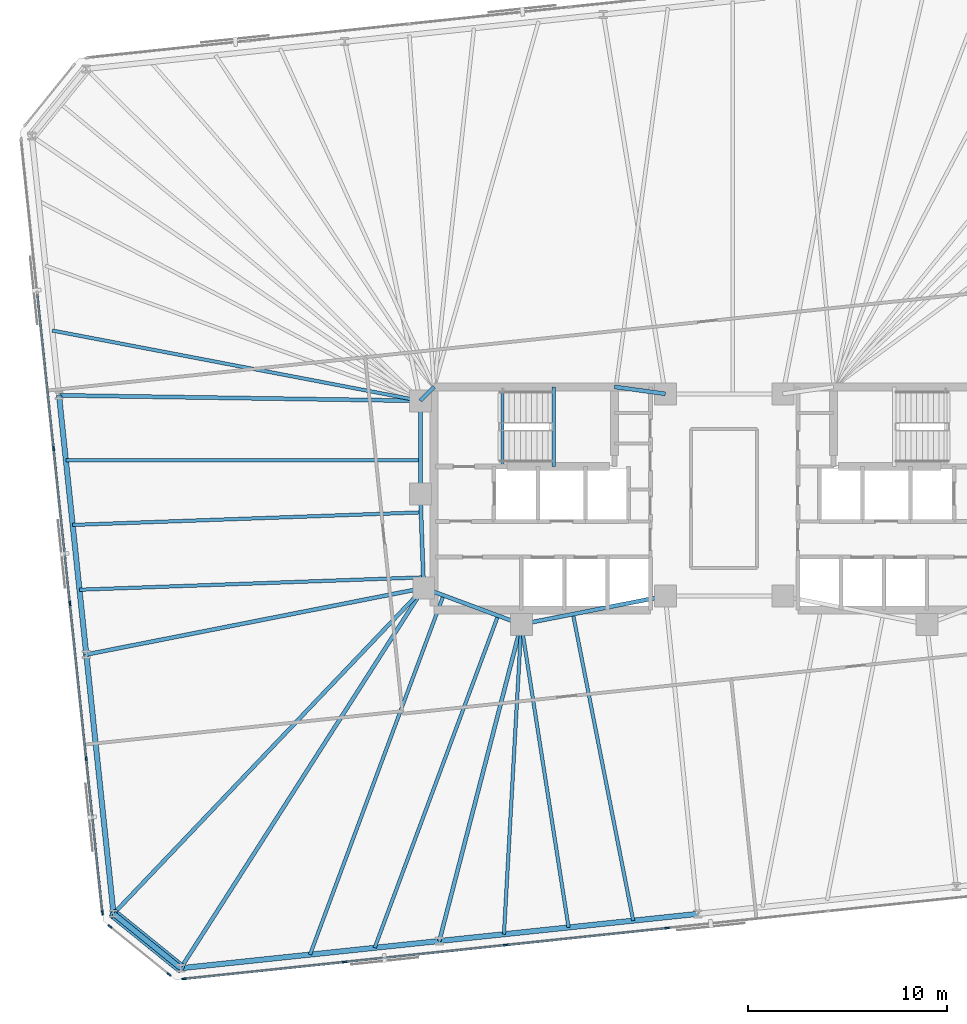
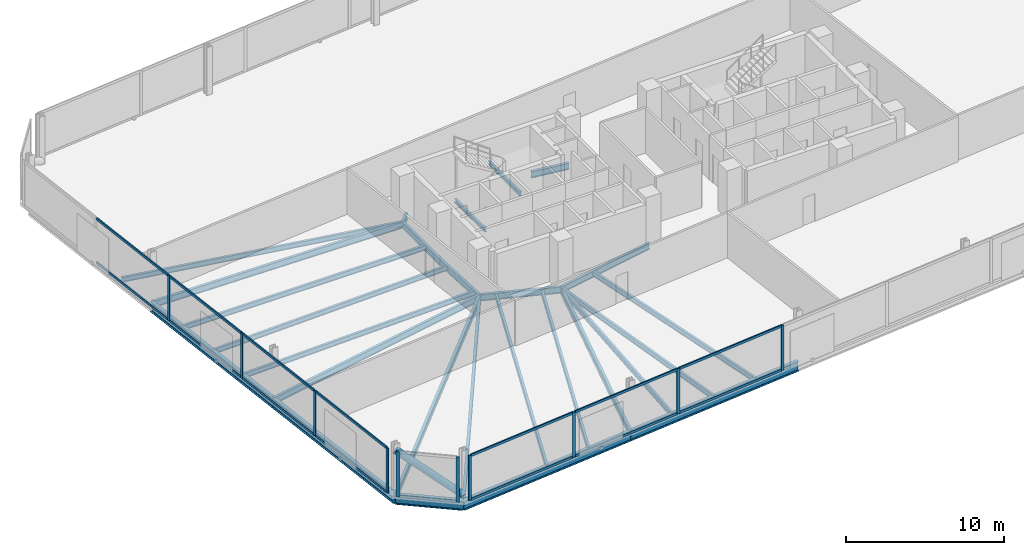
# One storey, part 6 of 17: 27 beams, 25 members, 3 elements without a shape of their own.
"""IFC4 building model written with IfcOpenShell, lengths in metres."""

from ifc_helpers import new_model, si_unit, direction, frame, origin, origin_2d, place, context, subcontext, project, spatial, rectangle, hollow_circle, i_section, extrude, material, material_profile, profile_set, type_object, element, aggregate, save


model = new_model("IFC4")

# Units and contexts
model_context = context("Model", 3, precision=1e-05, world=origin(), true_north=direction((0.0, 1.0)))
body_context = subcontext(model_context, "Body", "Model", "MODEL_VIEW")
ifc_project = project(units=[si_unit("LENGTHUNIT", "METRE"), si_unit("AREAUNIT", "SQUARE_METRE"), si_unit("VOLUMEUNIT", "CUBIC_METRE"), si_unit("PLANEANGLEUNIT", "RADIAN"), si_unit("MASSUNIT", "GRAM", prefix="KILO")], contexts=[model_context])

# Site, building, storey
site_placement = place(None, origin())
site = spatial("IfcSite", under=ifc_project, at=site_placement, CompositionType="ELEMENT")
building_placement = place(site_placement, origin())
building = spatial("IfcBuilding", under=site, at=building_placement, Name="Menara Jurai Vektor", CompositionType="ELEMENT")
storey_placement = place(building_placement, frame((0.0, 0.0, 131.800048828125)))
storey = spatial("IfcBuildingStorey", under=building, at=storey_placement, Name="L33", CompositionType="ELEMENT", Elevation=131.800048828125)

# Curtain wall, members
ifc_material_1 = material(Name="Anodised Pale Aluminium & Low-E Double Glazing", Category="aluminium")
curtain_wall_type = type_object("IfcCurtainWallType", Name="CW-BLK2", PredefinedType="NOTDEFINED", material=ifc_material_1)
curtain_wall_1_placement = place(storey_placement, origin())
curtain_wall_1 = element("IfcCurtainWall", 1, at=curtain_wall_1_placement, inside=storey, type_object=curtain_wall_type, Name="Unitised Curtain Wall L33 F01", PredefinedType="NOTDEFINED")
ifc_material_2 = material(Name="Anodised Pale Aluminium Mullion", Category="aluminium")
ifc_material_profile_1 = material_profile(ifc_material_2, rectangle(XDim=0.090087890625, YDim=0.219970703125, at=origin_2d()), Name="ALU MUL 90x220")
ifc_profile_set_1 = profile_set([ifc_material_profile_1], Name="Anodised Pale Aluminium Mullion")
member_type_1 = type_object("IfcMemberType", Name="CW-BLK2-MUL", PredefinedType="MULLION", material=ifc_profile_set_1)
member_1_placement = place(storey_placement, frame((-27.116455078125, -24.122314453125, 0.0), z_axis=(0.0, 0.0, 1.0), x_axis=(-0.104528634935, 0.994521877325, 0.0)))
member_1 = element("IfcMember", 2, at=member_1_placement, type_object=member_type_1, Name="CW-02 mullion 1", PredefinedType="MULLION", context=body_context, shape_type="SweptSolid", body=[
    extrude(rectangle(XDim=0.090087890625, YDim=0.219970703125, at=origin_2d()), origin(), (0.0, 0.0, 1.0), 3.474853515625),
])
member_2_placement = place(storey_placement, frame((-19.0634765625, -23.27587890625, 0.0), z_axis=(0.0, 0.0, 1.0), x_axis=(-0.104528634935, 0.994521877325, 0.0)))
member_2 = element("IfcMember", 3, at=member_2_placement, type_object=member_type_1, Name="CW-02 mullion 2", PredefinedType="MULLION", context=body_context, shape_type="SweptSolid", body=[
    extrude(rectangle(XDim=0.090087890625, YDim=0.219970703125, at=origin_2d()), origin(), (0.0, 0.0, 1.0), 3.474853515625),
])
member_3_placement = place(storey_placement, frame((-10.965576171875, -22.4248046875, 0.0), z_axis=(0.0, 0.0, 1.0), x_axis=(-0.104528634935, 0.994521877325, 0.0)))
member_3 = element("IfcMember", 4, at=member_3_placement, type_object=member_type_1, Name="CW-02 mullion 3", PredefinedType="MULLION", context=body_context, shape_type="SweptSolid", body=[
    extrude(rectangle(XDim=0.090087890625, YDim=0.219970703125, at=origin_2d()), origin(), (0.0, 0.0, 1.0), 3.474853515625),
])
member_4_placement = place(storey_placement, frame((-2.86767578125, -21.57373046875, 0.0), z_axis=(0.0, 0.0, 1.0), x_axis=(-0.104528634935, 0.994521877325, 0.0)))
member_4 = element("IfcMember", 5, at=member_4_placement, type_object=member_type_1, Name="CW-02 mullion 4", PredefinedType="MULLION", context=body_context, shape_type="SweptSolid", body=[
    extrude(rectangle(XDim=0.090087890625, YDim=0.219970703125, at=origin_2d()), origin(), (0.0, 0.0, 1.0), 3.474853515625),
])

curtain_wall_2_placement = place(storey_placement, origin())
curtain_wall_2 = element("IfcCurtainWall", 6, at=curtain_wall_2_placement, inside=storey, type_object=curtain_wall_type, Name="Unitised Curtain Wall L33 F07", PredefinedType="NOTDEFINED")
member_5_placement = place(storey_placement, frame((-33.66064453125, 2.50341796875, 0.0), z_axis=(0.0, 0.0, 1.0), x_axis=(0.99452177832, 0.104529576902, 0.0)))
member_5 = element("IfcMember", 7, at=member_5_placement, type_object=member_type_1, Name="CW-02 mullion 3", PredefinedType="MULLION", context=body_context, shape_type="SweptSolid", body=[
    extrude(rectangle(XDim=0.090087890625, YDim=0.219970703125, at=origin_2d()), origin(), (0.0, 0.0, 1.0), 3.474853515625),
])
member_6_placement = place(storey_placement, frame((-32.84228515625, -5.28173828125, 0.0), z_axis=(0.0, 0.0, 1.0), x_axis=(0.99452177832, 0.104529576902, 0.0)))
member_6 = element("IfcMember", 8, at=member_6_placement, type_object=member_type_1, Name="CW-02 mullion 4", PredefinedType="MULLION", context=body_context, shape_type="SweptSolid", body=[
    extrude(rectangle(XDim=0.090087890625, YDim=0.219970703125, at=origin_2d()), origin(), (0.0, 0.0, 1.0), 3.474853515625),
])
member_7_placement = place(storey_placement, frame((-32.024169921875, -13.06689453125, 0.0), z_axis=(0.0, 0.0, 1.0), x_axis=(0.99452177832, 0.104529576902, 0.0)))
member_7 = element("IfcMember", 9, at=member_7_placement, type_object=member_type_1, Name="CW-02 mullion 5", PredefinedType="MULLION", context=body_context, shape_type="SweptSolid", body=[
    extrude(rectangle(XDim=0.090087890625, YDim=0.219970703125, at=origin_2d()), origin(), (0.0, 0.0, 1.0), 3.474853515625),
])
member_8_placement = place(storey_placement, frame((-31.21044921875, -20.80712890625, 0.0), z_axis=(0.0, 0.0, 1.0), x_axis=(0.99452177832, 0.104529576902, 0.0)))
member_8 = element("IfcMember", 10, at=member_8_placement, type_object=member_type_1, Name="CW-02 mullion 6", PredefinedType="MULLION", context=body_context, shape_type="SweptSolid", body=[
    extrude(rectangle(XDim=0.090087890625, YDim=0.219970703125, at=origin_2d()), origin(), (0.0, 0.0, 1.0), 3.474853515625),
])

curtain_wall_3_placement = place(storey_placement, origin())
curtain_wall_3 = element("IfcCurtainWall", 11, at=curtain_wall_3_placement, inside=storey, type_object=curtain_wall_type, Name="Unitised Curtain Wall L33 F08", PredefinedType="NOTDEFINED")
member_9_placement = place(storey_placement, frame((-30.8359375, -21.497314453125, 0.0), z_axis=(0.0, 0.0, 1.0), x_axis=(0.629313085353, 0.777151877437, 0.0)))
member_9 = element("IfcMember", 12, at=member_9_placement, type_object=member_type_1, Name="CW-02 mullion 1", PredefinedType="MULLION", context=body_context, shape_type="SweptSolid", body=[
    extrude(rectangle(XDim=0.090087890625, YDim=0.219970703125, at=origin_2d()), origin(), (0.0, 0.0, 1.0), 3.474853515625),
])
member_10_placement = place(storey_placement, frame((-27.869384765625, -23.8994140625, 0.0), z_axis=(0.0, 0.0, 1.0), x_axis=(0.629313085353, 0.777151877437, 0.0)))
member_10 = element("IfcMember", 13, at=member_10_placement, type_object=member_type_1, Name="CW-02 mullion 2", PredefinedType="MULLION", context=body_context, shape_type="SweptSolid", body=[
    extrude(rectangle(XDim=0.090087890625, YDim=0.219970703125, at=origin_2d()), origin(), (0.0, 0.0, 1.0), 3.474853515625),
])
aggregate(curtain_wall_3, [member_9, member_10])

# Member
ifc_material_3 = material(Name="Anodised Pale Aluminium Transom", Category="aluminium")
ifc_material_profile_2 = material_profile(ifc_material_3, rectangle(XDim=0.090087890625, YDim=0.18505859375, at=origin_2d()), Name="ALU TRN 90x185")
ifc_profile_set_2 = profile_set([ifc_material_profile_2], Name="Anodised Pale Aluminium Transom")
member_type_2 = type_object("IfcMemberType", Name="CW-BLK2-TRN", PredefinedType="USERDEFINED", material=ifc_profile_set_2)
member_11_placement = place(storey_placement, frame((-27.07177734375, -24.11767578125, 0.044921875), z_axis=(0.994523147415, 0.10451655015, 0.0), x_axis=(-0.10451655015, 0.994523147415, 0.0)))
member_11 = element("IfcMember", 14, at=member_11_placement, type_object=member_type_2, Name="CW-02 transom 1.1", ObjectType="TRANSOM", PredefinedType="USERDEFINED", context=body_context, shape_type="SweptSolid", body=[
    extrude(rectangle(XDim=0.090087890625, YDim=0.18505859375, at=origin_2d()), origin(), (0.0, 0.0, 1.0), 8.007568359375),
])

member_12_placement = place(storey_placement, frame((-27.07177734375, -24.11767578125, 3.429931640625), z_axis=(0.994523147415, 0.10451655015, 0.0), x_axis=(-0.10451655015, 0.994523147415, 0.0)))
member_12 = element("IfcMember", 15, at=member_12_placement, type_object=member_type_2, Name="CW-02 transom 1.2", ObjectType="TRANSOM", PredefinedType="USERDEFINED", context=body_context, shape_type="SweptSolid", body=[
    extrude(rectangle(XDim=0.090087890625, YDim=0.18505859375, at=origin_2d()), origin(), (0.0, 0.0, 1.0), 8.007568359375),
])

member_13_placement = place(storey_placement, frame((-19.0185546875, -23.271240234375, 0.044921875), z_axis=(0.994520726373, 0.10453958492, 0.0), x_axis=(-0.10453958492, 0.994520726373, 0.0)))
member_13 = element("IfcMember", 16, at=member_13_placement, type_object=member_type_2, Name="CW-02 transom 2.1", ObjectType="TRANSOM", PredefinedType="USERDEFINED", context=body_context, shape_type="SweptSolid", body=[
    extrude(rectangle(XDim=0.090087890625, YDim=0.18505859375, at=origin_2d()), origin(), (0.0, 0.0, 1.0), 8.052490234375),
])

member_14_placement = place(storey_placement, frame((-19.0185546875, -23.271240234375, 3.429931640625), z_axis=(0.994520726373, 0.10453958492, 0.0), x_axis=(-0.10453958492, 0.994520726373, 0.0)))
member_14 = element("IfcMember", 17, at=member_14_placement, type_object=member_type_2, Name="CW-02 transom 2.2", ObjectType="TRANSOM", PredefinedType="USERDEFINED", context=body_context, shape_type="SweptSolid", body=[
    extrude(rectangle(XDim=0.090087890625, YDim=0.18505859375, at=origin_2d()), origin(), (0.0, 0.0, 1.0), 8.052490234375),
])

member_15_placement = place(storey_placement, frame((-10.920654296875, -22.420166015625, 0.044921875), z_axis=(0.994520726373, 0.10453958492, 0.0), x_axis=(-0.10453958492, 0.994520726373, 0.0)))
member_15 = element("IfcMember", 18, at=member_15_placement, type_object=member_type_2, Name="CW-02 transom 3.1", ObjectType="TRANSOM", PredefinedType="USERDEFINED", context=body_context, shape_type="SweptSolid", body=[
    extrude(rectangle(XDim=0.090087890625, YDim=0.18505859375, at=origin_2d()), origin(), (0.0, 0.0, 1.0), 8.052490234375),
])

member_16_placement = place(storey_placement, frame((-10.920654296875, -22.420166015625, 3.429931640625), z_axis=(0.994520726373, 0.10453958492, 0.0), x_axis=(-0.10453958492, 0.994520726373, 0.0)))
member_16 = element("IfcMember", 19, at=member_16_placement, type_object=member_type_2, Name="CW-02 transom 3.2", ObjectType="TRANSOM", PredefinedType="USERDEFINED", context=body_context, shape_type="SweptSolid", body=[
    extrude(rectangle(XDim=0.090087890625, YDim=0.18505859375, at=origin_2d()), origin(), (0.0, 0.0, 1.0), 8.052490234375),
])

aggregate(curtain_wall_1, [member_1, member_2, member_3, member_4, member_11, member_12, member_13, member_14, member_15, member_16])

member_17_placement = place(storey_placement, frame((-34.47412109375, 10.243896484375, 0.044921875), z_axis=(0.104525476786, -0.994522209256, 0.0), x_axis=(0.994522209256, 0.104525476786, 0.0)))
member_17 = element("IfcMember", 20, at=member_17_placement, type_object=member_type_2, Name="CW-02 transom 2.1", ObjectType="TRANSOM", PredefinedType="USERDEFINED", context=body_context, shape_type="SweptSolid", body=[
    extrude(rectangle(XDim=0.090087890625, YDim=0.18505859375, at=origin_2d()), origin(), (0.0, 0.0, 1.0), 7.73828125),
])

member_18_placement = place(storey_placement, frame((-34.47412109375, 10.243896484375, 3.429931640625), z_axis=(0.104525476786, -0.994522209256, 0.0), x_axis=(0.994522209256, 0.104525476786, 0.0)))
member_18 = element("IfcMember", 21, at=member_18_placement, type_object=member_type_2, Name="CW-02 transom 2.2", ObjectType="TRANSOM", PredefinedType="USERDEFINED", context=body_context, shape_type="SweptSolid", body=[
    extrude(rectangle(XDim=0.090087890625, YDim=0.18505859375, at=origin_2d()), origin(), (0.0, 0.0, 1.0), 7.73828125),
])

member_19_placement = place(storey_placement, frame((-33.65576171875, 2.458740234375, 0.044921875), z_axis=(0.104525476786, -0.994522209256, 0.0), x_axis=(0.994522209256, 0.104525476786, 0.0)))
member_19 = element("IfcMember", 22, at=member_19_placement, type_object=member_type_2, Name="CW-02 transom 3.1", ObjectType="TRANSOM", PredefinedType="USERDEFINED", context=body_context, shape_type="SweptSolid", body=[
    extrude(rectangle(XDim=0.090087890625, YDim=0.18505859375, at=origin_2d()), origin(), (0.0, 0.0, 1.0), 7.73828125),
])

member_20_placement = place(storey_placement, frame((-33.65576171875, 2.458740234375, 3.429931640625), z_axis=(0.104525476786, -0.994522209256, 0.0), x_axis=(0.994522209256, 0.104525476786, 0.0)))
member_20 = element("IfcMember", 23, at=member_20_placement, type_object=member_type_2, Name="CW-02 transom 3.2", ObjectType="TRANSOM", PredefinedType="USERDEFINED", context=body_context, shape_type="SweptSolid", body=[
    extrude(rectangle(XDim=0.090087890625, YDim=0.18505859375, at=origin_2d()), origin(), (0.0, 0.0, 1.0), 7.73828125),
])

member_21_placement = place(storey_placement, frame((-32.837646484375, -5.326416015625, 0.044921875), z_axis=(0.104525476786, -0.994522209256, 0.0), x_axis=(0.994522209256, 0.104525476786, 0.0)))
member_21 = element("IfcMember", 24, at=member_21_placement, type_object=member_type_2, Name="CW-02 transom 4.1", ObjectType="TRANSOM", PredefinedType="USERDEFINED", context=body_context, shape_type="SweptSolid", body=[
    extrude(rectangle(XDim=0.090087890625, YDim=0.18505859375, at=origin_2d()), origin(), (0.0, 0.0, 1.0), 7.73828125),
])

member_22_placement = place(storey_placement, frame((-32.837646484375, -5.326416015625, 3.429931640625), z_axis=(0.104525476786, -0.994522209256, 0.0), x_axis=(0.994522209256, 0.104525476786, 0.0)))
member_22 = element("IfcMember", 25, at=member_22_placement, type_object=member_type_2, Name="CW-02 transom 4.2", ObjectType="TRANSOM", PredefinedType="USERDEFINED", context=body_context, shape_type="SweptSolid", body=[
    extrude(rectangle(XDim=0.090087890625, YDim=0.18505859375, at=origin_2d()), origin(), (0.0, 0.0, 1.0), 7.73828125),
])

member_23_placement = place(storey_placement, frame((-32.019287109375, -13.111572265625, 0.044921875), z_axis=(0.104536105602, -0.994521092097, 0.0), x_axis=(0.994521092097, 0.104536105602, 0.0)))
member_23 = element("IfcMember", 26, at=member_23_placement, type_object=member_type_2, Name="CW-02 transom 5.1", ObjectType="TRANSOM", PredefinedType="USERDEFINED", context=body_context, shape_type="SweptSolid", body=[
    extrude(rectangle(XDim=0.090087890625, YDim=0.18505859375, at=origin_2d()), origin(), (0.0, 0.0, 1.0), 7.693115234375),
])

member_24_placement = place(storey_placement, frame((-32.019287109375, -13.111572265625, 3.429931640625), z_axis=(0.104536105602, -0.994521092097, 0.0), x_axis=(0.994521092097, 0.104536105602, 0.0)))
member_24 = element("IfcMember", 27, at=member_24_placement, type_object=member_type_2, Name="CW-02 transom 5.2", ObjectType="TRANSOM", PredefinedType="USERDEFINED", context=body_context, shape_type="SweptSolid", body=[
    extrude(rectangle(XDim=0.090087890625, YDim=0.18505859375, at=origin_2d()), origin(), (0.0, 0.0, 1.0), 7.693115234375),
])

aggregate(curtain_wall_2, [member_5, member_6, member_7, member_8, member_17, member_18, member_19, member_20, member_21, member_22, member_23, member_24])

# Beams
ifc_material_4 = material(Name="Steel S355", Category="steel")
ifc_material_profile_3 = material_profile(ifc_material_4, i_section(OverallWidth=0.199951171875, OverallDepth=0.5, WebThickness=0.011962890625, FlangeThickness=0.02001953125, at=origin_2d()), Name="PG 500x200x96")
ifc_profile_set_3 = profile_set([ifc_material_profile_3], Name="Steel S355")
beam_type_1 = type_object("IfcBeamType", Name="STR-BM-500", PredefinedType="BEAM", material=ifc_profile_set_3)
beam_1_placement = place(storey_placement, frame((-15.25, 4.89990234375, -0.47509765625), z_axis=(0.701871936926, 0.712303154672, 0.0), x_axis=(-0.712303154672, 0.701871936926, 0.0)))
element("IfcBeam", 28, at=beam_1_placement, inside=storey, type_object=beam_type_1, Name="Core Ring Header Girder L33-CHW-N1", PredefinedType="BEAM", context=body_context, shape_type="SweptSolid", body=[
    extrude(i_section(OverallWidth=0.199951171875, OverallDepth=0.5, WebThickness=0.011962890625, FlangeThickness=0.02001953125, at=origin_2d()), origin(), (0.0, 0.0, 1.0), 0.98291015625),
])
beam_2_placement = place(storey_placement, frame((-5.5, 5.60009765625, -0.47509765625), z_axis=(0.990706818608, -0.136014703483, 0.0), x_axis=(0.136014703483, 0.990706818608, 0.0)))
element("IfcBeam", 29, at=beam_2_placement, inside=storey, type_object=beam_type_1, Name="Core Ring Header Girder L33-CHW-N2", PredefinedType="BEAM", context=body_context, shape_type="SweptSolid", body=[
    extrude(i_section(OverallWidth=0.199951171875, OverallDepth=0.5, WebThickness=0.011962890625, FlangeThickness=0.02001953125, at=origin_2d()), origin(), (0.0, 0.0, 1.0), 2.573974609375),
])
beam_3_placement = place(storey_placement, frame((-15.25, 0.219970703125, -0.47509765625), z_axis=(0.0, 1.0, 0.0), x_axis=(-1.0, 0.0, 0.0)))
element("IfcBeam", 30, at=beam_3_placement, inside=storey, type_object=beam_type_1, Name="Core Ring Header Girder L33-CHW-W1", PredefinedType="BEAM", context=body_context, shape_type="SweptSolid", body=[
    extrude(i_section(OverallWidth=0.199951171875, OverallDepth=0.5, WebThickness=0.011962890625, FlangeThickness=0.02001953125, at=origin_2d()), origin(), (0.0, 0.0, 1.0), 4.679931640625),
])
beam_4_placement = place(storey_placement, frame((-15.080078125, -4.5, -0.47509765625), z_axis=(-0.035977314146, 0.999352606874, 0.0), x_axis=(-0.999352606874, -0.035977314146, 0.0)))
element("IfcBeam", 31, at=beam_4_placement, inside=storey, type_object=beam_type_1, Name="Core Ring Header Girder L33-CHW-W2", PredefinedType="BEAM", context=body_context, shape_type="SweptSolid", body=[
    extrude(i_section(OverallWidth=0.199951171875, OverallDepth=0.5, WebThickness=0.011962890625, FlangeThickness=0.02001953125, at=origin_2d()), origin(), (0.0, 0.0, 1.0), 4.72314453125),
])
beam_5_placement = place(storey_placement, frame((-15.080078125, -4.5, -0.47509765625), z_axis=(0.937424400887, -0.348188874925, 0.0), x_axis=(0.348188874925, 0.937424400887, 0.0)))
element("IfcBeam", 32, at=beam_5_placement, inside=storey, type_object=beam_type_1, Name="Core Ring Header Girder L33-CHW-S1", PredefinedType="BEAM", context=body_context, shape_type="SweptSolid", body=[
    extrude(i_section(OverallWidth=0.199951171875, OverallDepth=0.5, WebThickness=0.011962890625, FlangeThickness=0.02001953125, at=origin_2d()), origin(), (0.0, 0.0, 1.0), 5.227294921875),
])
beam_6_placement = place(storey_placement, frame((-10.179931640625, -6.320068359375, -0.47509765625), z_axis=(0.981249044334, 0.192744164614, 0.0), x_axis=(-0.192744164614, 0.981249044334, 0.0)))
element("IfcBeam", 33, at=beam_6_placement, inside=storey, type_object=beam_type_1, Name="Core Ring Header Girder L33-CHW-S2", PredefinedType="BEAM", context=body_context, shape_type="SweptSolid", body=[
    extrude(i_section(OverallWidth=0.199951171875, OverallDepth=0.5, WebThickness=0.011962890625, FlangeThickness=0.02001953125, at=origin_2d()), origin(), (0.0, 0.0, 1.0), 7.3681640625),
])
beam_7_placement = place(storey_placement, frame((-27.2763671875, -23.586181640625, -0.47509765625), z_axis=(0.538462629542, 0.842649391258, 0.0), x_axis=(-0.842649391258, 0.538462629542, 0.0)))
element("IfcBeam", 34, at=beam_7_placement, inside=storey, type_object=beam_type_1, Name="Radial Floor Girder L33-S1", PredefinedType="BEAM", context=body_context, shape_type="SweptSolid", body=[
    extrude(i_section(OverallWidth=0.199951171875, OverallDepth=0.5, WebThickness=0.011962890625, FlangeThickness=0.02001953125, at=origin_2d()), origin(), (0.0, 0.0, 1.0), 22.650146484375),
])
beam_8_placement = place(storey_placement, frame((-14.296630859375, -22.221923828125, -0.47509765625), z_axis=(0.250619644892, 0.968085633399, 0.0), x_axis=(-0.968085633399, 0.250619644892, 0.0)))
element("IfcBeam", 35, at=beam_8_placement, inside=storey, type_object=beam_type_1, Name="Radial Floor Girder L33-S2", PredefinedType="BEAM", context=body_context, shape_type="SweptSolid", body=[
    extrude(i_section(OverallWidth=0.199951171875, OverallDepth=0.5, WebThickness=0.011962890625, FlangeThickness=0.02001953125, at=origin_2d()), origin(), (0.0, 0.0, 1.0), 16.426025390625),
])
beam_9_placement = place(storey_placement, frame((-33.38818359375, 5.175048828125, -0.47509765625), z_axis=(0.999884963566, -0.015167716827, 0.0), x_axis=(0.015167716827, 0.999884963566, 0.0)))
element("IfcBeam", 36, at=beam_9_placement, inside=storey, type_object=beam_type_1, Name="Radial Floor Girder L33-W2", PredefinedType="BEAM", context=body_context, shape_type="SweptSolid", body=[
    extrude(i_section(OverallWidth=0.199951171875, OverallDepth=0.5, WebThickness=0.011962890625, FlangeThickness=0.02001953125, at=origin_2d()), origin(), (0.0, 0.0, 1.0), 18.140380859375),
])
beam_10_placement = place(storey_placement, frame((-32.0205078125, -7.83837890625, -0.47509765625), z_axis=(0.98113039493, 0.193347221714, 0.0), x_axis=(-0.193347221714, 0.98113039493, 0.0)))
element("IfcBeam", 37, at=beam_10_placement, inside=storey, type_object=beam_type_1, Name="Radial Floor Girder L33-W3", PredefinedType="BEAM", context=body_context, shape_type="SweptSolid", body=[
    extrude(i_section(OverallWidth=0.199951171875, OverallDepth=0.5, WebThickness=0.011962890625, FlangeThickness=0.02001953125, at=origin_2d()), origin(), (0.0, 0.0, 1.0), 17.266357421875),
])
beam_11_placement = place(storey_placement, frame((-30.65283203125, -20.85205078125, -0.47509765625), z_axis=(0.689640593718, 0.724151815227, 0.0), x_axis=(-0.724151815227, 0.689640593718, 0.0)))
element("IfcBeam", 38, at=beam_11_placement, inside=storey, type_object=beam_type_1, Name="Radial Floor Girder L33-W4", PredefinedType="BEAM", context=body_context, shape_type="SweptSolid", body=[
    extrude(i_section(OverallWidth=0.199951171875, OverallDepth=0.5, WebThickness=0.011962890625, FlangeThickness=0.02001953125, at=origin_2d()), origin(), (0.0, 0.0, 1.0), 22.5810546875),
])

# Member
ifc_material_5 = material(Name="Steel S460", Category="steel")
ifc_material_profile_4 = material_profile(ifc_material_5, hollow_circle(Radius=0.25390625, WallThickness=0.02001953125, at=origin_2d()), Name="CHS 508x20")
ifc_profile_set_4 = profile_set([ifc_material_profile_4], Name="Steel S460")
member_type_3 = type_object("IfcMemberType", Name="STR-BR-508", PredefinedType="BRACE", material=ifc_profile_set_4)
member_25_placement = place(storey_placement, frame((-27.2763671875, -23.586181640625, 0.14990234375), z_axis=(-0.641223283484, 0.519237856236, 0.564999778203), x_axis=(-0.629309762217, -0.777154568396, 0.0)))
element("IfcMember", 39, at=member_25_placement, inside=storey, type_object=member_type_3, Name="Exoskeleton Corner Brace L33-4", PredefinedType="BRACE", context=body_context, shape_type="SweptSolid", body=[
    extrude(hollow_circle(Radius=0.25390625, WallThickness=0.02001953125, at=origin_2d()), origin(), (0.0, 0.0, 1.0), 5.265625),
])

# Beams
ifc_material_profile_5 = material_profile(ifc_material_4, i_section(OverallWidth=0.175048828125, OverallDepth=0.3798828125, WebThickness=0.010009765625, FlangeThickness=0.014892578125, at=origin_2d()), Name="PG 380x175x58")
ifc_profile_set_5 = profile_set([ifc_material_profile_5], Name="Steel S355")
beam_type_2 = type_object("IfcBeamType", Name="STR-JS-380", PredefinedType="JOIST", material=ifc_profile_set_5)
beam_12_placement = place(storey_placement, frame((-20.78662109375, -22.904052734375, -0.4150390625), z_axis=(0.34819162731, 0.93742337856, 0.0), x_axis=(-0.93742337856, 0.34819162731, 0.0)))
element("IfcBeam", 40, at=beam_12_placement, inside=storey, type_object=beam_type_2, Name="Radial Secondary Floor Joist L33-JS01", PredefinedType="JOIST", context=body_context, shape_type="SweptSolid", body=[
    extrude(i_section(OverallWidth=0.175048828125, OverallDepth=0.3798828125, WebThickness=0.010009765625, FlangeThickness=0.014892578125, at=origin_2d()), origin(), (0.0, 0.0, 1.0), 19.2392578125),
])
beam_13_placement = place(storey_placement, frame((-17.54150390625, -22.56298828125, -0.4150390625), z_axis=(0.348184462185, 0.937426039906, 0.0), x_axis=(-0.937426039906, 0.348184462185, 0.0)))
element("IfcBeam", 41, at=beam_13_placement, inside=storey, type_object=beam_type_2, Name="Radial Secondary Floor Joist L33-JS02", PredefinedType="JOIST", context=body_context, shape_type="SweptSolid", body=[
    extrude(i_section(OverallWidth=0.175048828125, OverallDepth=0.3798828125, WebThickness=0.010009765625, FlangeThickness=0.014892578125, at=origin_2d()), origin(), (0.0, 0.0, 1.0), 17.789794921875),
])
beam_14_placement = place(storey_placement, frame((-11.0517578125, -21.880859375, -0.4150390625), z_axis=(0.055939382302, 0.998434166837, 0.0), x_axis=(-0.998434166837, 0.055939382302, 0.0)))
element("IfcBeam", 42, at=beam_14_placement, inside=storey, type_object=beam_type_2, Name="Radial Secondary Floor Joist L33-JS03", PredefinedType="JOIST", context=body_context, shape_type="SweptSolid", body=[
    extrude(i_section(OverallWidth=0.175048828125, OverallDepth=0.3798828125, WebThickness=0.010009765625, FlangeThickness=0.014892578125, at=origin_2d()), origin(), (0.0, 0.0, 1.0), 15.585205078125),
])
beam_15_placement = place(storey_placement, frame((-7.806884765625, -21.539794921875, -0.4150390625), z_axis=(-0.154057765645, 0.988061842622, 0.0), x_axis=(-0.988061842622, -0.154057765645, 0.0)))
element("IfcBeam", 43, at=beam_15_placement, inside=storey, type_object=beam_type_2, Name="Radial Secondary Floor Joist L33-JS04", PredefinedType="JOIST", context=body_context, shape_type="SweptSolid", body=[
    extrude(i_section(OverallWidth=0.175048828125, OverallDepth=0.3798828125, WebThickness=0.010009765625, FlangeThickness=0.014892578125, at=origin_2d()), origin(), (0.0, 0.0, 1.0), 15.403564453125),
])
beam_16_placement = place(storey_placement, frame((-4.56201171875, -21.19873046875, -0.4150390625), z_axis=(-0.19271398667, 0.981254971627, 0.0), x_axis=(-0.981254971627, -0.19271398667, 0.0)))
element("IfcBeam", 44, at=beam_16_placement, inside=storey, type_object=beam_type_2, Name="Radial Secondary Floor Joist L33-JS05", PredefinedType="JOIST", context=body_context, shape_type="SweptSolid", body=[
    extrude(i_section(OverallWidth=0.175048828125, OverallDepth=0.3798828125, WebThickness=0.010009765625, FlangeThickness=0.014892578125, at=origin_2d()), origin(), (0.0, 0.0, 1.0), 15.682373046875),
])
beam_17_placement = place(storey_placement, frame((-33.730224609375, 8.428466796875, -0.4150390625), z_axis=(0.982255215221, -0.187549172674, 0.0), x_axis=(0.187549172674, 0.982255215221, 0.0)))
element("IfcBeam", 45, at=beam_17_placement, inside=storey, type_object=beam_type_2, Name="Radial Secondary Floor Joist L33-JS38", PredefinedType="JOIST", context=body_context, shape_type="SweptSolid", body=[
    extrude(i_section(OverallWidth=0.175048828125, OverallDepth=0.3798828125, WebThickness=0.010009765625, FlangeThickness=0.014892578125, at=origin_2d()), origin(), (0.0, 0.0, 1.0), 18.81396484375),
])
beam_18_placement = place(storey_placement, frame((-33.04638671875, 1.921630859375, -0.4150390625), z_axis=(1.0, 0.0, 0.0), x_axis=(0.0, 1.0, 0.0)))
element("IfcBeam", 46, at=beam_18_placement, inside=storey, type_object=beam_type_2, Name="Radial Secondary Floor Joist L33-JS39", PredefinedType="JOIST", context=body_context, shape_type="SweptSolid", body=[
    extrude(i_section(OverallWidth=0.175048828125, OverallDepth=0.3798828125, WebThickness=0.010009765625, FlangeThickness=0.014892578125, at=origin_2d()), origin(), (0.0, 0.0, 1.0), 17.79638671875),
])
beam_19_placement = place(storey_placement, frame((-32.704345703125, -1.331787109375, -0.4150390625), z_axis=(0.999351948809, 0.035995588769, 0.0), x_axis=(-0.035995588769, 0.999351948809, 0.0)))
element("IfcBeam", 47, at=beam_19_placement, inside=storey, type_object=beam_type_2, Name="Radial Secondary Floor Joist L33-JS40", PredefinedType="JOIST", context=body_context, shape_type="SweptSolid", body=[
    extrude(i_section(OverallWidth=0.175048828125, OverallDepth=0.3798828125, WebThickness=0.010009765625, FlangeThickness=0.014892578125, at=origin_2d()), origin(), (0.0, 0.0, 1.0), 17.498779296875),
])
beam_20_placement = place(storey_placement, frame((-32.362548828125, -4.5849609375, -0.4150390625), z_axis=(0.999352405578, 0.03598290517, 0.0), x_axis=(-0.03598290517, 0.999352405578, 0.0)))
element("IfcBeam", 48, at=beam_20_placement, inside=storey, type_object=beam_type_2, Name="Radial Secondary Floor Joist L33-JS41", PredefinedType="JOIST", context=body_context, shape_type="SweptSolid", body=[
    extrude(i_section(OverallWidth=0.175048828125, OverallDepth=0.3798828125, WebThickness=0.010009765625, FlangeThickness=0.014892578125, at=origin_2d()), origin(), (0.0, 0.0, 1.0), 17.2744140625),
])
ifc_material_profile_6 = material_profile(ifc_material_4, i_section(OverallWidth=0.1650390625, OverallDepth=0.302978515625, WebThickness=0.006103515625, FlangeThickness=0.010009765625, FilletRadius=0.009033203125, at=origin_2d()), Name="UKB 305x165x40")
ifc_profile_set_6 = profile_set([ifc_material_profile_6], Name="Steel S355")
beam_type_3 = type_object("IfcBeamType", Name="STR-LN-305", PredefinedType="LINTEL", material=ifc_profile_set_6)
beam_21_placement = place(storey_placement, frame((-11.1201171875, 1.60009765625, -0.37646484375), z_axis=(0.0, 1.0, 0.0), x_axis=(-1.0, 0.0, 0.0)))
element("IfcBeam", 49, at=beam_21_placement, inside=storey, type_object=beam_type_3, Name="Stair Well Floor Trimmer ST1 L33", PredefinedType="LINTEL", context=body_context, shape_type="SweptSolid", body=[
    extrude(i_section(OverallWidth=0.1650390625, OverallDepth=0.302978515625, WebThickness=0.006103515625, FlangeThickness=0.010009765625, FilletRadius=0.009033203125, at=origin_2d()), origin(), (0.0, 0.0, 1.0), 3.81982421875),
])
beam_22_placement = place(storey_placement, frame((-8.550048828125, 1.60009765625, 1.49853515625), z_axis=(0.0, 1.0, 0.0), x_axis=(-1.0, 0.0, 0.0)))
element("IfcBeam", 50, at=beam_22_placement, inside=storey, type_object=beam_type_3, Name="Stair Half-Landing Nosing Trimmer ST1-1 L33", PredefinedType="LINTEL", context=body_context, shape_type="SweptSolid", body=[
    extrude(i_section(OverallWidth=0.1650390625, OverallDepth=0.302978515625, WebThickness=0.006103515625, FlangeThickness=0.010009765625, FilletRadius=0.009033203125, at=origin_2d()), origin(), (0.0, 0.0, 1.0), 4.0),
])
ifc_material_profile_7 = material_profile(ifc_material_5, i_section(OverallWidth=0.26806640625, OverallDepth=0.77001953125, WebThickness=0.01611328125, FlangeThickness=0.02490234375, FilletRadius=0.01708984375, at=origin_2d()), Name="UKB 762x267x197")
ifc_profile_set_7 = profile_set([ifc_material_profile_7], Name="Steel S460")
beam_type_4 = type_object("IfcBeamType", Name="STR-SP-762", PredefinedType="SPANDREL", material=ifc_profile_set_7)
for number, where, z_axis, x_axis, name in (
    (51, (-27.2763671875, -23.586181640625, -0.610107421875), (0.994521636083, 0.104530930169, 0.0), (-0.104530930169, 0.994521636083, 0.0), "Exoskeleton Spandrel Beam L33-01"),
    (52, (-14.296630859375, -22.221923828125, -0.610107421875), (0.994523580592, 0.104512428191, 0.0), (-0.104512428191, 0.994523580592, 0.0), "Exoskeleton Spandrel Beam L33-02"),
):
    element("IfcBeam", number, at=place(storey_placement, frame(where, z_axis=z_axis, x_axis=x_axis)), inside=storey, type_object=beam_type_4, Name=name, PredefinedType="SPANDREL", context=body_context, shape_type="SweptSolid", body=[
        extrude(i_section(OverallWidth=0.26806640625, OverallDepth=0.77001953125, WebThickness=0.01611328125, FlangeThickness=0.02490234375, FilletRadius=0.01708984375, at=origin_2d()), origin(), (0.0, 0.0, 1.0), 13.05126953125),
    ])
beam_23_placement = place(storey_placement, frame((-33.38818359375, 5.175048828125, -0.610107421875), z_axis=(0.104521615846, -0.994522615037, 0.0), x_axis=(0.994522615037, 0.104521615846, 0.0)))
element("IfcBeam", 53, at=beam_23_placement, inside=storey, type_object=beam_type_4, Name="Exoskeleton Spandrel Beam L33-18", PredefinedType="SPANDREL", context=body_context, shape_type="SweptSolid", body=[
    extrude(i_section(OverallWidth=0.26806640625, OverallDepth=0.77001953125, WebThickness=0.01611328125, FlangeThickness=0.02490234375, FilletRadius=0.01708984375, at=origin_2d()), origin(), (0.0, 0.0, 1.0), 13.085205078125),
])
beam_24_placement = place(storey_placement, frame((-32.0205078125, -7.83837890625, -0.610107421875), z_axis=(0.104519676409, -0.994522818865, 0.0), x_axis=(0.994522818865, 0.104519676409, 0.0)))
element("IfcBeam", 54, at=beam_24_placement, inside=storey, type_object=beam_type_4, Name="Exoskeleton Spandrel Beam L33-19", PredefinedType="SPANDREL", context=body_context, shape_type="SweptSolid", body=[
    extrude(i_section(OverallWidth=0.26806640625, OverallDepth=0.77001953125, WebThickness=0.01611328125, FlangeThickness=0.02490234375, FilletRadius=0.01708984375, at=origin_2d()), origin(), (0.0, 0.0, 1.0), 13.08544921875),
])
beam_25_placement = place(storey_placement, frame((-30.65283203125, -20.85205078125, -0.610107421875), z_axis=(0.777154568396, -0.629309762217, 0.0), x_axis=(0.629309762217, 0.777154568396, 0.0)))
element("IfcBeam", 55, at=beam_25_placement, inside=storey, type_object=beam_type_4, Name="Exoskeleton Spandrel Beam L33-20", PredefinedType="SPANDREL", context=body_context, shape_type="SweptSolid", body=[
    extrude(i_section(OverallWidth=0.26806640625, OverallDepth=0.77001953125, WebThickness=0.01611328125, FlangeThickness=0.02490234375, FilletRadius=0.01708984375, at=origin_2d()), origin(), (0.0, 0.0, 1.0), 4.3447265625),
])

save(model, "model.ifc")
